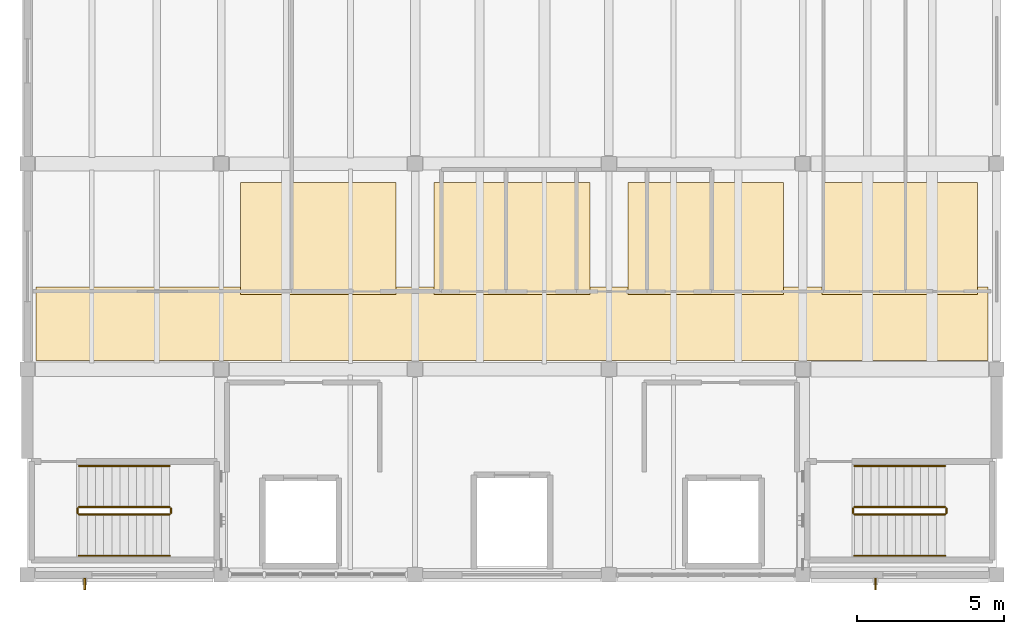
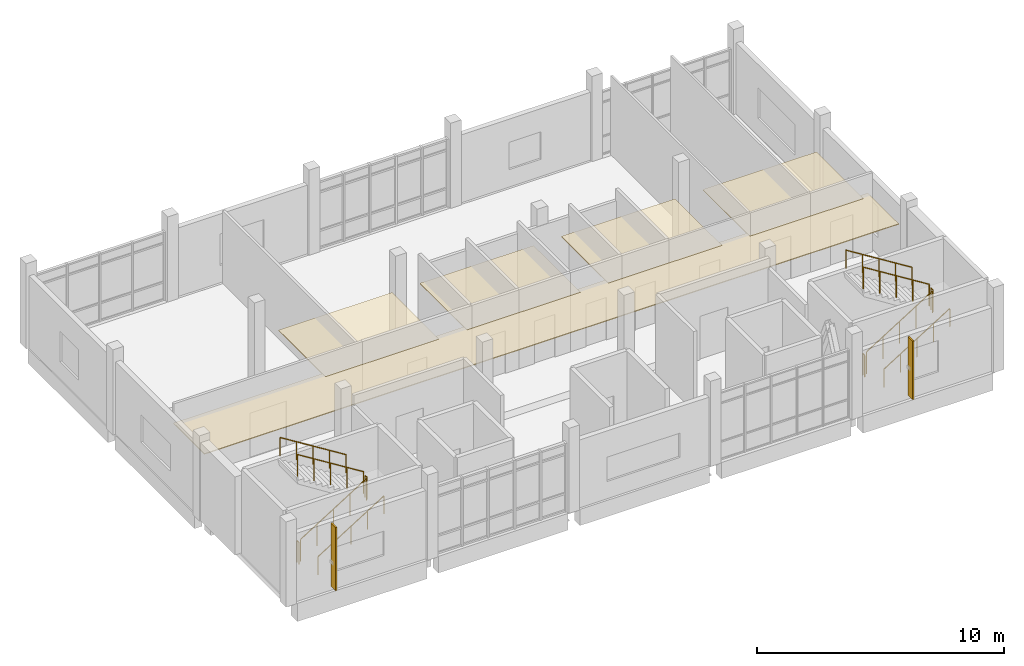
# One storey, part 10 of 10: 12 railings, 5 coverings, 2 shading devices.
"""IFC4 building model written with IfcOpenShell, lengths in metres."""

from ifc_helpers import new_model, si_unit, direction, frame, origin, origin_2d, place, context, subcontext, project, spatial, polyline, rectangle, circle, outline, extrude, material, layer, layer_set, material_profile, profile_set, type_object, element, save


model = new_model("IFC4")

# Units and contexts
model_context = context("Model", 3, precision=1e-05, world=origin(), true_north=direction((0.0, 1.0)))
body_context = subcontext(model_context, "Body", "Model", "MODEL_VIEW")
ifc_project = project(units=[si_unit("LENGTHUNIT", "METRE"), si_unit("AREAUNIT", "SQUARE_METRE"), si_unit("VOLUMEUNIT", "CUBIC_METRE"), si_unit("PLANEANGLEUNIT", "RADIAN"), si_unit("MASSUNIT", "GRAM", prefix="KILO")], contexts=[model_context])

# Site, building, storey
site_placement = place(None, origin())
site = spatial("IfcSite", under=ifc_project, at=site_placement, CompositionType="ELEMENT")
building_placement = place(site_placement, origin())
building = spatial("IfcBuilding", under=site, at=building_placement, Name="Ciguamira Faculty of Natural Sciences", CompositionType="ELEMENT")
storey_placement = place(building_placement, frame((0.0, 0.0, 42.0)))
storey = spatial("IfcBuildingStorey", under=building, at=storey_placement, Name="L10", CompositionType="ELEMENT", Elevation=42.0)

# Coverings
ifc_material_1 = material(Name="Perforated white acoustic ceiling")
ifc_layer = layer(ifc_material_1, 0.0400390625, Name="Perforated white acoustic ceiling")
ifc_layer_set = layer_set([ifc_layer], Name="Perforated white acoustic ceiling")
covering_type = type_object("IfcCoveringType", Name="AcousticCeiling_AC01", PredefinedType="CEILING", material=ifc_layer_set)
covering_1_placement = place(storey_placement, frame((0.0, 0.0, 2.760009765625)))
element("IfcCovering", 1, at=covering_1_placement, inside=storey, type_object=covering_type, Name="L10 corridor acoustic ceiling", PredefinedType="CEILING", context=body_context, shape_type="SweptSolid", body=[
    extrude(outline(polyline([(70.800048828125, 101.300048828125), (103.199951171875, 101.300048828125), (103.199951171875, 103.800048828125), (70.800048828125, 103.800048828125), (70.800048828125, 101.300048828125)])), origin(), (0.0, 0.0, 1.0), 0.0400390625),
])
covering_2_placement = place(storey_placement, frame((0.0, 0.0, 2.760009765625)))
element("IfcCovering", 2, at=covering_2_placement, inside=storey, type_object=covering_type, Name="L10 research bay 01 acoustic ceiling", PredefinedType="CEILING", context=body_context, shape_type="SweptSolid", body=[
    extrude(outline(polyline([(77.75, 103.550048828125), (83.050048828125, 103.550048828125), (83.050048828125, 107.35009765625), (77.75, 107.35009765625), (77.75, 103.550048828125)])), origin(), (0.0, 0.0, 1.0), 0.0400390625),
])
covering_3_placement = place(storey_placement, frame((0.0, 0.0, 2.760009765625)))
element("IfcCovering", 3, at=covering_3_placement, inside=storey, type_object=covering_type, Name="L10 research bay 02 acoustic ceiling", PredefinedType="CEILING", context=body_context, shape_type="SweptSolid", body=[
    extrude(outline(polyline([(84.35009765625, 103.550048828125), (89.64990234375, 103.550048828125), (89.64990234375, 107.35009765625), (84.35009765625, 107.35009765625), (84.35009765625, 103.550048828125)])), origin(), (0.0, 0.0, 1.0), 0.0400390625),
])
covering_4_placement = place(storey_placement, frame((0.0, 0.0, 2.760009765625)))
element("IfcCovering", 4, at=covering_4_placement, inside=storey, type_object=covering_type, Name="L10 research bay 03 acoustic ceiling", PredefinedType="CEILING", context=body_context, shape_type="SweptSolid", body=[
    extrude(outline(polyline([(90.949951171875, 103.550048828125), (96.25, 103.550048828125), (96.25, 107.35009765625), (90.949951171875, 107.35009765625), (90.949951171875, 103.550048828125)])), origin(), (0.0, 0.0, 1.0), 0.0400390625),
])
covering_5_placement = place(storey_placement, frame((0.0, 0.0, 2.760009765625)))
element("IfcCovering", 5, at=covering_5_placement, inside=storey, type_object=covering_type, Name="L10 research bay 04 acoustic ceiling", PredefinedType="CEILING", context=body_context, shape_type="SweptSolid", body=[
    extrude(outline(polyline([(97.550048828125, 103.550048828125), (102.85009765625, 103.550048828125), (102.85009765625, 107.35009765625), (97.550048828125, 107.35009765625), (97.550048828125, 103.550048828125)])), origin(), (0.0, 0.0, 1.0), 0.0400390625),
])

# Railings
ifc_material_2 = material(Name="Stainless steel balustrade", Category="steel")
railing_type_1 = type_object("IfcRailingType", Name="Guardrail_GR01", PredefinedType="GUARDRAIL", material=ifc_material_2)
railing_1_placement = place(storey_placement, frame((72.260009765625, 96.050048828125, 0.175048828125)))
element("IfcRailing", 6, at=railing_1_placement, inside=storey, type_object=railing_type_1, Name="L10 ST-T1 stair guard 1", PredefinedType="GUARDRAIL", context=body_context, shape_type="SweptSolid", body=[
    extrude(circle(Radius=0.02392578125, at=origin_2d()), frame((0.0, 0.0, 1.076171875), z_axis=(0.847998304005, 0.0, 0.529998940003), x_axis=(0.0, 1.0, 0.0)), (0.0, 0.0, 1.0), 3.632080078125),
    extrude(circle(Radius=0.02099609375, at=origin_2d()), origin(), (0.0, 0.0, 1.0), 1.052001953125),
    extrude(circle(Radius=0.02099609375, at=origin_2d()), frame((0.77001953125, 0.0, 0.481201171875)), (0.0, 0.0, 1.0), 1.052001953125),
    extrude(circle(Radius=0.02099609375, at=origin_2d()), frame((1.5400390625, 0.0, 0.96240234375)), (0.0, 0.0, 1.0), 1.052001953125),
    extrude(circle(Radius=0.02099609375, at=origin_2d()), frame((2.31005859375, 0.0, 1.44384765625)), (0.0, 0.0, 1.0), 1.052001953125),
    extrude(circle(Radius=0.02099609375, at=origin_2d()), frame((3.080078125, 0.0, 1.925048828125)), (0.0, 0.0, 1.0), 1.052001953125),
])
railing_2_placement = place(storey_placement, frame((75.389892578125, 96.10009765625, 2.10009765625)))
element("IfcRailing", 7, at=railing_2_placement, inside=storey, type_object=railing_type_1, Name="L10 ST-T1 stair guard 2", PredefinedType="GUARDRAIL", context=body_context, shape_type="SweptSolid", body=[
    extrude(circle(Radius=0.02392578125, at=origin_2d()), frame((0.0, 0.0, 1.076171875), z_axis=(0.0, 1.0, 0.0), x_axis=(-1.0, 0.0, 0.0)), (0.0, 0.0, 1.0), 0.159912109375),
    extrude(circle(Radius=0.02099609375, at=origin_2d()), origin(), (0.0, 0.0, 1.0), 1.052001953125),
    extrude(circle(Radius=0.02099609375, at=origin_2d()), frame((0.0, 0.159912109375, 0.0)), (0.0, 0.0, 1.0), 1.052001953125),
])
railing_3_placement = place(storey_placement, frame((75.340087890625, 96.31005859375, 2.27490234375)))
element("IfcRailing", 8, at=railing_3_placement, inside=storey, type_object=railing_type_1, Name="L10 ST-T1 stair guard 3", PredefinedType="GUARDRAIL", context=body_context, shape_type="SweptSolid", body=[
    extrude(circle(Radius=0.02392578125, at=origin_2d()), frame((0.0, 0.0, 1.076171875), z_axis=(-0.847998304005, 0.0, 0.529998940003), x_axis=(0.0, -1.0, 0.0)), (0.0, 0.0, 1.0), 3.632080078125),
    extrude(circle(Radius=0.02099609375, at=origin_2d()), origin(), (0.0, 0.0, 1.0), 1.052001953125),
    extrude(circle(Radius=0.02099609375, at=origin_2d()), frame((-0.77001953125, 0.0, 0.481201171875)), (0.0, 0.0, 1.0), 1.052001953125),
    extrude(circle(Radius=0.02099609375, at=origin_2d()), frame((-1.5400390625, 0.0, 0.96240234375)), (0.0, 0.0, 1.0), 1.052001953125),
    extrude(circle(Radius=0.02099609375, at=origin_2d()), frame((-2.31005859375, 0.0, 1.44384765625)), (0.0, 0.0, 1.0), 1.052001953125),
    extrude(circle(Radius=0.02099609375, at=origin_2d()), frame((-3.080078125, 0.0, 1.925048828125)), (0.0, 0.0, 1.0), 1.052001953125),
])
railing_4_placement = place(storey_placement, frame((72.2099609375, 96.10009765625, 0.0)))
element("IfcRailing", 9, at=railing_4_placement, inside=storey, type_object=railing_type_1, Name="L10 ST-T1 stair guard 4", PredefinedType="GUARDRAIL", context=body_context, shape_type="SweptSolid", body=[
    extrude(circle(Radius=0.02392578125, at=origin_2d()), frame((0.0, 0.0, 1.076171875), z_axis=(0.0, 1.0, 0.0), x_axis=(-1.0, 0.0, 0.0)), (0.0, 0.0, 1.0), 0.159912109375),
    extrude(circle(Radius=0.02099609375, at=origin_2d()), origin(), (0.0, 0.0, 1.0), 1.052001953125),
    extrude(circle(Radius=0.02099609375, at=origin_2d()), frame((0.0, 0.159912109375, 0.0)), (0.0, 0.0, 1.0), 1.052001953125),
])
railing_5_placement = place(storey_placement, frame((98.659912109375, 96.050048828125, 0.175048828125)))
element("IfcRailing", 10, at=railing_5_placement, inside=storey, type_object=railing_type_1, Name="L10 ST-T2 stair guard 1", PredefinedType="GUARDRAIL", context=body_context, shape_type="SweptSolid", body=[
    extrude(circle(Radius=0.02392578125, at=origin_2d()), frame((0.0, 0.0, 1.076171875), z_axis=(0.847998304005, 0.0, 0.529998940003), x_axis=(0.0, 1.0, 0.0)), (0.0, 0.0, 1.0), 3.632080078125),
    extrude(circle(Radius=0.02099609375, at=origin_2d()), origin(), (0.0, 0.0, 1.0), 1.052001953125),
    extrude(circle(Radius=0.02099609375, at=origin_2d()), frame((0.77001953125, 0.0, 0.481201171875)), (0.0, 0.0, 1.0), 1.052001953125),
    extrude(circle(Radius=0.02099609375, at=origin_2d()), frame((1.5400390625, 0.0, 0.96240234375)), (0.0, 0.0, 1.0), 1.052001953125),
    extrude(circle(Radius=0.02099609375, at=origin_2d()), frame((2.31005859375, 0.0, 1.44384765625)), (0.0, 0.0, 1.0), 1.052001953125),
    extrude(circle(Radius=0.02099609375, at=origin_2d()), frame((3.080078125, 0.0, 1.925048828125)), (0.0, 0.0, 1.0), 1.052001953125),
])
railing_6_placement = place(storey_placement, frame((101.7900390625, 96.10009765625, 2.10009765625)))
element("IfcRailing", 11, at=railing_6_placement, inside=storey, type_object=railing_type_1, Name="L10 ST-T2 stair guard 2", PredefinedType="GUARDRAIL", context=body_context, shape_type="SweptSolid", body=[
    extrude(circle(Radius=0.02392578125, at=origin_2d()), frame((0.0, 0.0, 1.076171875), z_axis=(0.0, 1.0, 0.0), x_axis=(-1.0, 0.0, 0.0)), (0.0, 0.0, 1.0), 0.159912109375),
    extrude(circle(Radius=0.02099609375, at=origin_2d()), origin(), (0.0, 0.0, 1.0), 1.052001953125),
    extrude(circle(Radius=0.02099609375, at=origin_2d()), frame((0.0, 0.159912109375, 0.0)), (0.0, 0.0, 1.0), 1.052001953125),
])
railing_7_placement = place(storey_placement, frame((101.739990234375, 96.31005859375, 2.27490234375)))
element("IfcRailing", 12, at=railing_7_placement, inside=storey, type_object=railing_type_1, Name="L10 ST-T2 stair guard 3", PredefinedType="GUARDRAIL", context=body_context, shape_type="SweptSolid", body=[
    extrude(circle(Radius=0.02392578125, at=origin_2d()), frame((0.0, 0.0, 1.076171875), z_axis=(-0.847998304005, 0.0, 0.529998940003), x_axis=(0.0, -1.0, 0.0)), (0.0, 0.0, 1.0), 3.632080078125),
    extrude(circle(Radius=0.02099609375, at=origin_2d()), origin(), (0.0, 0.0, 1.0), 1.052001953125),
    extrude(circle(Radius=0.02099609375, at=origin_2d()), frame((-0.77001953125, 0.0, 0.481201171875)), (0.0, 0.0, 1.0), 1.052001953125),
    extrude(circle(Radius=0.02099609375, at=origin_2d()), frame((-1.5400390625, 0.0, 0.96240234375)), (0.0, 0.0, 1.0), 1.052001953125),
    extrude(circle(Radius=0.02099609375, at=origin_2d()), frame((-2.31005859375, 0.0, 1.44384765625)), (0.0, 0.0, 1.0), 1.052001953125),
    extrude(circle(Radius=0.02099609375, at=origin_2d()), frame((-3.080078125, 0.0, 1.925048828125)), (0.0, 0.0, 1.0), 1.052001953125),
])
railing_8_placement = place(storey_placement, frame((98.610107421875, 96.10009765625, 0.0)))
element("IfcRailing", 13, at=railing_8_placement, inside=storey, type_object=railing_type_1, Name="L10 ST-T2 stair guard 4", PredefinedType="GUARDRAIL", context=body_context, shape_type="SweptSolid", body=[
    extrude(circle(Radius=0.02392578125, at=origin_2d()), frame((0.0, 0.0, 1.076171875), z_axis=(0.0, 1.0, 0.0), x_axis=(-1.0, 0.0, 0.0)), (0.0, 0.0, 1.0), 0.159912109375),
    extrude(circle(Radius=0.02099609375, at=origin_2d()), origin(), (0.0, 0.0, 1.0), 1.052001953125),
    extrude(circle(Radius=0.02099609375, at=origin_2d()), frame((0.0, 0.159912109375, 0.0)), (0.0, 0.0, 1.0), 1.052001953125),
])
ifc_material_3 = material(Name="Stainless steel handrail", Category="steel")
railing_type_2 = type_object("IfcRailingType", Name="Handrail_HR01", PredefinedType="HANDRAIL", material=ifc_material_3)
railing_9_placement = place(storey_placement, frame((72.260009765625, 94.64990234375, 0.35009765625)))
element("IfcRailing", 14, at=railing_9_placement, inside=storey, type_object=railing_type_2, Name="L10 ST-T1 stair handrail 1", PredefinedType="HANDRAIL", context=body_context, shape_type="SweptSolid", body=[
    extrude(circle(Radius=0.02392578125, at=origin_2d()), frame((0.0, 0.0, 0.89111328125), z_axis=(0.848028513186, 0.0, 0.529950602248), x_axis=(0.0, 1.0, 0.0)), (0.0, 0.0, 1.0), 3.632080078125),
    extrude(circle(Radius=0.02099609375, at=origin_2d()), origin(), (0.0, 0.0, 1.0), 0.866943359375),
    extrude(circle(Radius=0.02099609375, at=origin_2d()), frame((0.77001953125, 0.0, 0.481201171875)), (0.0, 0.0, 1.0), 0.866943359375),
    extrude(circle(Radius=0.02099609375, at=origin_2d()), frame((1.5400390625, 0.0, 0.96240234375)), (0.0, 0.0, 1.0), 0.866943359375),
    extrude(circle(Radius=0.02099609375, at=origin_2d()), frame((2.31005859375, 0.0, 1.443603515625)), (0.0, 0.0, 1.0), 0.866943359375),
    extrude(circle(Radius=0.02099609375, at=origin_2d()), frame((3.080078125, 0.0, 1.9248046875)), (0.0, 0.0, 1.0), 0.866943359375),
])
railing_10_placement = place(storey_placement, frame((75.340087890625, 97.7099609375, 2.449951171875)))
element("IfcRailing", 15, at=railing_10_placement, inside=storey, type_object=railing_type_2, Name="L10 ST-T1 stair handrail 2", PredefinedType="HANDRAIL", context=body_context, shape_type="SweptSolid", body=[
    extrude(circle(Radius=0.02392578125, at=origin_2d()), frame((0.0, 0.0, 0.89111328125), z_axis=(-0.847998304005, 0.0, 0.529998940003), x_axis=(0.0, -1.0, 0.0)), (0.0, 0.0, 1.0), 3.632080078125),
    extrude(circle(Radius=0.02099609375, at=origin_2d()), origin(), (0.0, 0.0, 1.0), 0.866943359375),
    extrude(circle(Radius=0.02099609375, at=origin_2d()), frame((-0.77001953125, 0.0, 0.481201171875)), (0.0, 0.0, 1.0), 0.866943359375),
    extrude(circle(Radius=0.02099609375, at=origin_2d()), frame((-1.5400390625, 0.0, 0.96240234375)), (0.0, 0.0, 1.0), 0.866943359375),
    extrude(circle(Radius=0.02099609375, at=origin_2d()), frame((-2.31005859375, 0.0, 1.44384765625)), (0.0, 0.0, 1.0), 0.866943359375),
    extrude(circle(Radius=0.02099609375, at=origin_2d()), frame((-3.080078125, 0.0, 1.925048828125)), (0.0, 0.0, 1.0), 0.866943359375),
])
railing_11_placement = place(storey_placement, frame((98.659912109375, 94.64990234375, 0.35009765625)))
element("IfcRailing", 16, at=railing_11_placement, inside=storey, type_object=railing_type_2, Name="L10 ST-T2 stair handrail 1", PredefinedType="HANDRAIL", context=body_context, shape_type="SweptSolid", body=[
    extrude(circle(Radius=0.02392578125, at=origin_2d()), frame((0.0, 0.0, 0.89111328125), z_axis=(0.848028513186, 0.0, 0.529950602248), x_axis=(0.0, 1.0, 0.0)), (0.0, 0.0, 1.0), 3.632080078125),
    extrude(circle(Radius=0.02099609375, at=origin_2d()), origin(), (0.0, 0.0, 1.0), 0.866943359375),
    extrude(circle(Radius=0.02099609375, at=origin_2d()), frame((0.77001953125, 0.0, 0.481201171875)), (0.0, 0.0, 1.0), 0.866943359375),
    extrude(circle(Radius=0.02099609375, at=origin_2d()), frame((1.5400390625, 0.0, 0.96240234375)), (0.0, 0.0, 1.0), 0.866943359375),
    extrude(circle(Radius=0.02099609375, at=origin_2d()), frame((2.31005859375, 0.0, 1.443603515625)), (0.0, 0.0, 1.0), 0.866943359375),
    extrude(circle(Radius=0.02099609375, at=origin_2d()), frame((3.080078125, 0.0, 1.9248046875)), (0.0, 0.0, 1.0), 0.866943359375),
])
railing_12_placement = place(storey_placement, frame((101.739990234375, 97.7099609375, 2.449951171875)))
element("IfcRailing", 17, at=railing_12_placement, inside=storey, type_object=railing_type_2, Name="L10 ST-T2 stair handrail 2", PredefinedType="HANDRAIL", context=body_context, shape_type="SweptSolid", body=[
    extrude(circle(Radius=0.02392578125, at=origin_2d()), frame((0.0, 0.0, 0.89111328125), z_axis=(-0.847998304005, 0.0, 0.529998940003), x_axis=(0.0, -1.0, 0.0)), (0.0, 0.0, 1.0), 3.632080078125),
    extrude(circle(Radius=0.02099609375, at=origin_2d()), origin(), (0.0, 0.0, 1.0), 0.866943359375),
    extrude(circle(Radius=0.02099609375, at=origin_2d()), frame((-0.77001953125, 0.0, 0.481201171875)), (0.0, 0.0, 1.0), 0.866943359375),
    extrude(circle(Radius=0.02099609375, at=origin_2d()), frame((-1.5400390625, 0.0, 0.96240234375)), (0.0, 0.0, 1.0), 0.866943359375),
    extrude(circle(Radius=0.02099609375, at=origin_2d()), frame((-2.31005859375, 0.0, 1.44384765625)), (0.0, 0.0, 1.0), 0.866943359375),
    extrude(circle(Radius=0.02099609375, at=origin_2d()), frame((-3.080078125, 0.0, 1.925048828125)), (0.0, 0.0, 1.0), 0.866943359375),
])

# Shading devices
ifc_material_4 = material(Name="Anodized bronze sunshade fin")
ifc_material_profile = material_profile(ifc_material_4, rectangle(XDim=0.06494140625, YDim=0.3798828125, at=origin_2d()), Name="BRZ-FIN-65X380")
ifc_profile_set = profile_set([ifc_material_profile], Name="Anodized bronze sunshade fin")
shading_device_type = type_object("IfcShadingDeviceType", Name="SunFin_SF01", PredefinedType="USERDEFINED", material=ifc_profile_set)
shading_device_1_placement = place(storey_placement, frame((72.449951171875, 93.68994140625, 0.199951171875), z_axis=(0.0, 0.0, 1.0), x_axis=(1.0, 0.0, 0.0)))
element("IfcShadingDevice", 18, at=shading_device_1_placement, inside=storey, type_object=shading_device_type, Name="L10 bronze vertical sunshade fin 0038", ObjectType="SUNSHADE FIN", PredefinedType="USERDEFINED", context=body_context, shape_type="SweptSolid", body=[
    extrude(rectangle(XDim=0.06494140625, YDim=0.3798828125, at=origin_2d()), origin(), (0.0, 0.0, 1.0), 3.114990234375),
])
shading_device_2_placement = place(storey_placement, frame((99.375, 93.68994140625, 0.199951171875), z_axis=(0.0, 0.0, 1.0), x_axis=(1.0, 0.0, 0.0)))
element("IfcShadingDevice", 19, at=shading_device_2_placement, inside=storey, type_object=shading_device_type, Name="L10 bronze vertical sunshade fin 0039", ObjectType="SUNSHADE FIN", PredefinedType="USERDEFINED", context=body_context, shape_type="SweptSolid", body=[
    extrude(rectangle(XDim=0.06494140625, YDim=0.3798828125, at=origin_2d()), origin(), (0.0, 0.0, 1.0), 2.885009765625),
])

save(model, "model.ifc")
